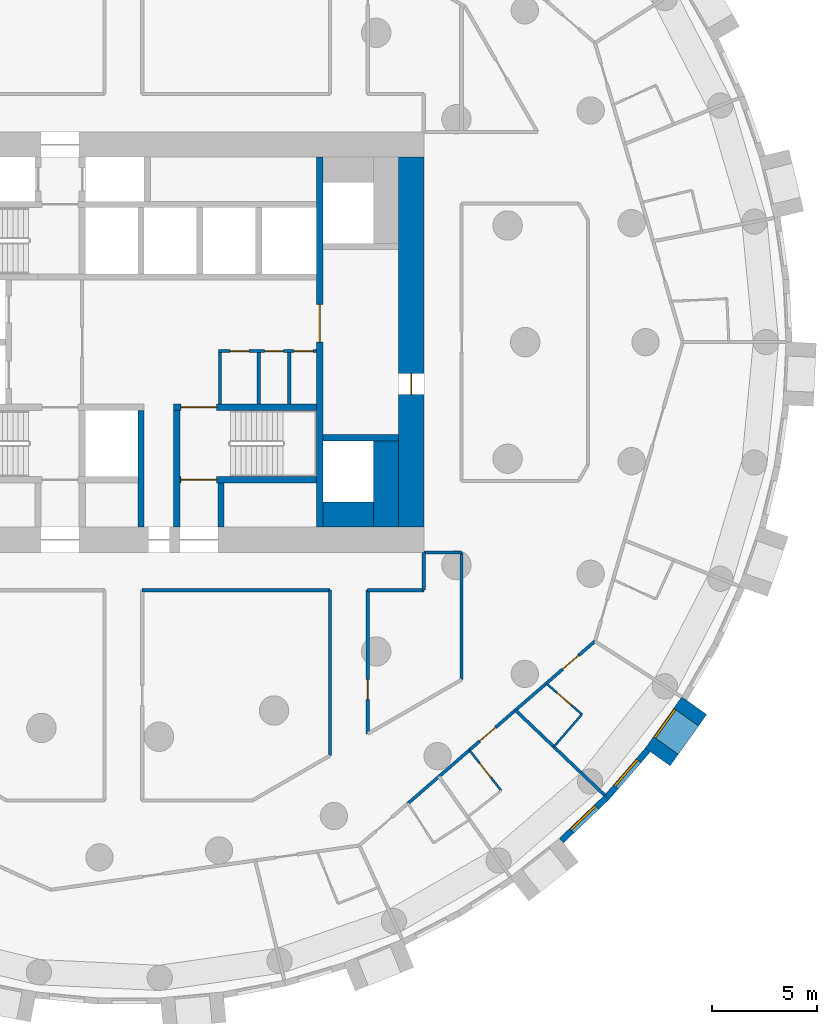
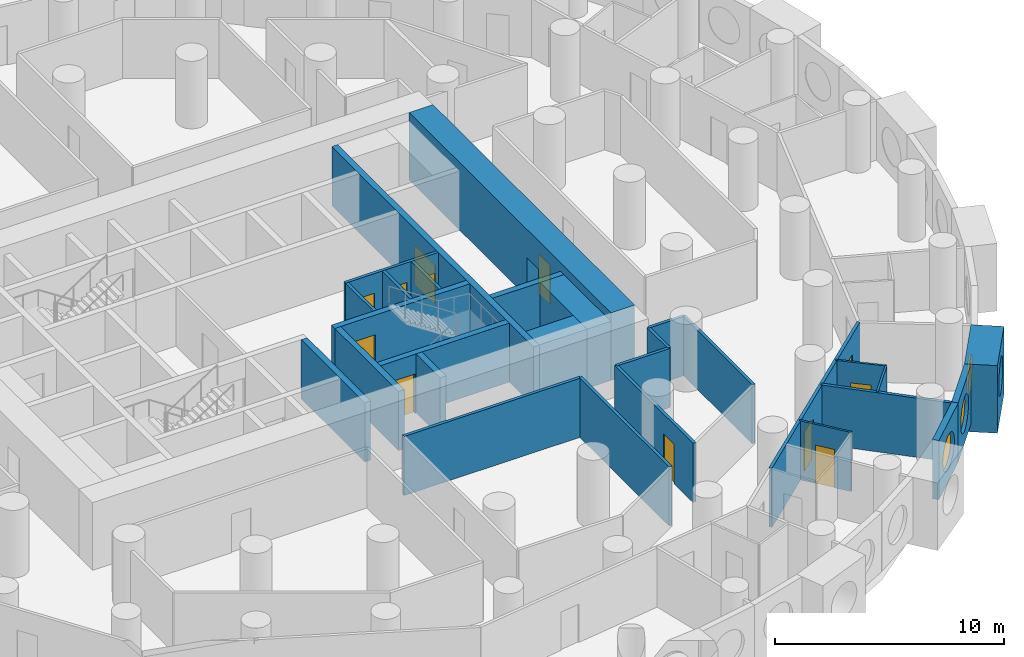
# One storey, part 5 of 12: 29 walls, 12 doors, 3 windows, 15 openings.
"""IFC4 building model written with IfcOpenShell, lengths in metres."""

from ifc_helpers import new_model, si_unit, direction, frame, frame_2d, origin, origin_2d, place, context, subcontext, project, spatial, rectangle, circle, extrude, material, layer, layer_set, type_object, element, fill, save


model = new_model("IFC4")

# Units and contexts
model_context = context("Model", 3, precision=1e-05, world=origin(), true_north=direction((0.0, 1.0)))
body_context = subcontext(model_context, "Body", "Model", "MODEL_VIEW")
ifc_project = project(units=[si_unit("LENGTHUNIT", "METRE"), si_unit("AREAUNIT", "SQUARE_METRE"), si_unit("VOLUMEUNIT", "CUBIC_METRE"), si_unit("PLANEANGLEUNIT", "RADIAN"), si_unit("MASSUNIT", "GRAM", prefix="KILO")], contexts=[model_context])

# Site, building, storey
site_placement = place(None, origin())
site = spatial("IfcSite", under=ifc_project, at=site_placement, CompositionType="ELEMENT")
building_placement = place(site_placement, origin())
building = spatial("IfcBuilding", under=site, at=building_placement, Name="Tracery Tower", CompositionType="ELEMENT")
storey_placement = place(building_placement, frame((0.0, 0.0, 71.39990234375)))
storey = spatial("IfcBuildingStorey", under=building, at=storey_placement, Name="L17", CompositionType="ELEMENT", Elevation=71.39990234375)

# Wall
ifc_material_1 = material(Name="Plasterboard on steel studs", Category="steel")
ifc_layer_1 = layer(ifc_material_1, 0.14990234375)
ifc_layer_set_1 = layer_set([ifc_layer_1], Name="Core room partition 150")
wall_type_1 = type_object("IfcWallType", Name="Core room partition 150", PredefinedType="SOLIDWALL", material=ifc_layer_set_1)
wall_1_placement = place(storey_placement, frame((4.300048828125, -2.949951171875, 0.0), z_axis=(0.0, 0.0, 1.0), x_axis=(0.0, 1.0, 0.0)))
element("IfcWall", 1, at=wall_1_placement, inside=storey, type_object=wall_type_1, Name="L17 slot W", PredefinedType="SOLIDWALL", context=body_context, shape_type="SweptSolid", body=[
    extrude(rectangle(XDim=2.449951171875, YDim=0.14990234375, at=frame_2d((1.22509765625, 0.0))), origin(), (0.0, 0.0, 1.0), 3.150146484375),
])

# Wall, openings, doors
wall_2_placement = place(storey_placement, frame((4.22509765625, -0.425048828125, 0.0), z_axis=(0.0, 0.0, 1.0), x_axis=(1.0, 0.0, 0.0)))
wall_2 = element("IfcWall", 2, at=wall_2_placement, inside=storey, type_object=wall_type_1, Name="L17 slot N", PredefinedType="SOLIDWALL", context=body_context, shape_type="SweptSolid", body=[
    extrude(rectangle(XDim=4.6748046875, YDim=0.14990234375, at=frame_2d((2.33740234375, 0.0))), origin(), (0.0, 0.0, 1.0), 3.150146484375),
])
opening_1_placement = place(wall_2_placement, frame((0.550048828125, 0.0, 0.0)))
opening_1 = element("IfcOpeningElement", 3, at=opening_1_placement, cuts=wall_2, Name="Opening KD22", PredefinedType="OPENING", context=body_context, shape_type="SweptSolid", body=[
    extrude(rectangle(XDim=0.89990234375, YDim=2.10009765625, at=frame_2d((0.449951171875, 1.050048828125))), frame((0.0, 0.074951171875, 0.0), z_axis=(0.0, -1.0, 0.0), x_axis=(1.0, 0.0, 0.0)), (0.0, 0.0, 1.0), 0.14990234375),
])
opening_2_placement = place(wall_2_placement, frame((2.199951171875, 0.0, 0.0)))
opening_2 = element("IfcOpeningElement", 4, at=opening_2_placement, cuts=wall_2, Name="Opening KD26", PredefinedType="OPENING", context=body_context, shape_type="SweptSolid", body=[
    extrude(rectangle(XDim=0.89990234375, YDim=2.10009765625, at=frame_2d((0.449951171875, 1.050048828125))), frame((0.0, 0.074951171875, 0.0), z_axis=(0.0, -1.0, 0.0), x_axis=(1.0, 0.0, 0.0)), (0.0, 0.0, 1.0), 0.14990234375),
])
opening_3_placement = place(wall_2_placement, frame((3.612548828125, 0.0, 0.0)))
opening_3 = element("IfcOpeningElement", 5, at=opening_3_placement, cuts=wall_2, Name="Opening KD27", PredefinedType="OPENING", context=body_context, shape_type="SweptSolid", body=[
    extrude(rectangle(XDim=0.89990234375, YDim=2.10009765625, at=frame_2d((0.449951171875, 1.050048828125))), frame((0.0, 0.074951171875, 0.0), z_axis=(0.0, -1.0, 0.0), x_axis=(1.0, 0.0, 0.0)), (0.0, 0.0, 1.0), 0.14990234375),
])
ifc_material_2 = material(Name="Timber door leaf", Category="wood")
door_type_1 = type_object("IfcDoorType", Name="Core WC door 900", OperationType="NOTDEFINED", PredefinedType="DOOR", material=ifc_material_2)
door_1_placement = place(opening_1_placement, origin())
door_1 = element("IfcDoor", 6, at=door_1_placement, inside=storey, type_object=door_type_1, Name="Core door", OperationType="SINGLE_SWING_RIGHT", OverallHeight=2.10009765625, OverallWidth=0.89990234375, PredefinedType="DOOR", context=body_context, shape_type="SweptSolid", body=[
    extrude(rectangle(XDim=0.89990234375, YDim=2.10009765625, at=frame_2d((0.449951171875, 1.050048828125))), frame((0.0, 0.02490234375, 0.0), z_axis=(0.0, -1.0, 0.0), x_axis=(1.0, 0.0, 0.0)), (0.0, 0.0, 1.0), 0.050048828125),
])
fill(opening_1, door_1)
ifc_material_3 = material(Name="Timber door leaf", Category="wood")
door_type_2 = type_object("IfcDoorType", Name="Core store door 900", OperationType="NOTDEFINED", PredefinedType="DOOR", material=ifc_material_3)
door_2_placement = place(opening_2_placement, origin())
door_2 = element("IfcDoor", 7, at=door_2_placement, inside=storey, type_object=door_type_2, Name="Core door", OperationType="SINGLE_SWING_LEFT", OverallHeight=2.10009765625, OverallWidth=0.89990234375, PredefinedType="DOOR", context=body_context, shape_type="SweptSolid", body=[
    extrude(rectangle(XDim=0.89990234375, YDim=2.10009765625, at=frame_2d((0.449951171875, 1.050048828125))), frame((0.0, 0.02490234375, 0.0), z_axis=(0.0, -1.0, 0.0), x_axis=(1.0, 0.0, 0.0)), (0.0, 0.0, 1.0), 0.050048828125),
])
fill(opening_2, door_2)
door_3_placement = place(opening_3_placement, origin())
door_3 = element("IfcDoor", 8, at=door_3_placement, inside=storey, type_object=door_type_2, Name="Core door", OperationType="SINGLE_SWING_RIGHT", OverallHeight=2.10009765625, OverallWidth=0.89990234375, PredefinedType="DOOR", context=body_context, shape_type="SweptSolid", body=[
    extrude(rectangle(XDim=0.89990234375, YDim=2.10009765625, at=frame_2d((0.449951171875, 1.050048828125))), frame((0.0, 0.02490234375, 0.0), z_axis=(0.0, -1.0, 0.0), x_axis=(1.0, 0.0, 0.0)), (0.0, 0.0, 1.0), 0.050048828125),
])
fill(opening_3, door_3)

# Walls
for number, where, z_axis, x_axis, name in (
    (9, (6.14990234375, -2.949951171875, 0.0), (0.0, 0.0, 1.0), (0.0, 1.0, 0.0), "L17 slot sep 1"),
    (10, (7.60009765625, -2.949951171875, 0.0), (0.0, 0.0, 1.0), (0.0, 1.0, 0.0), "L17 slot sep 2"),
):
    element("IfcWall", number, at=place(storey_placement, frame(where, z_axis=z_axis, x_axis=x_axis)), inside=storey, type_object=wall_type_1, Name=name, PredefinedType="SOLIDWALL", context=body_context, shape_type="SweptSolid", body=[
        extrude(rectangle(XDim=2.449951171875, YDim=0.14990234375, at=frame_2d((1.22509765625, 0.0))), origin(), (0.0, 0.0, 1.0), 3.150146484375),
    ])
ifc_material_4 = material(Name="Concrete C60/75", Category="concrete")
ifc_layer_2 = layer(ifc_material_4, 1.199951171875)
ifc_layer_set_2 = layer_set([ifc_layer_2], Name="Core strip wall 1200 C60")
wall_type_2 = type_object("IfcWallType", Name="Core strip wall 1200 C60", PredefinedType="SOLIDWALL", material=ifc_layer_set_2)
wall_3_placement = place(storey_placement, frame((12.199951171875, -8.800048828125, 0.0), z_axis=(0.0, 0.0, 1.0), x_axis=(0.0, 1.0, 0.0)))
element("IfcWall", 11, at=wall_3_placement, inside=storey, type_object=wall_type_2, Name="L17 wing strip +1 -9.4", PredefinedType="SOLIDWALL", context=body_context, shape_type="SweptSolid", body=[
    extrude(rectangle(XDim=4.10009765625, YDim=1.199951171875, at=frame_2d((2.050048828125, 0.0))), origin(), (0.0, 0.0, 1.0), 3.150146484375),
])
wall_4_placement = place(storey_placement, frame((9.199951171875, -8.199951171875, 0.0), z_axis=(0.0, 0.0, 1.0), x_axis=(1.0, 0.0, 0.0)))
element("IfcWall", 12, at=wall_4_placement, inside=storey, type_object=wall_type_2, Name="L17 wing corner +1 -8.2", PredefinedType="SOLIDWALL", context=body_context, shape_type="SweptSolid", body=[
    extrude(rectangle(XDim=2.400146484375, YDim=1.199951171875, at=frame_2d((1.2001953125, 0.0))), origin(), (0.0, 0.0, 1.0), 3.150146484375),
])

# Wall, opening, door
ifc_material_5 = material(Name="Concrete C60/75", Category="concrete")
ifc_layer_3 = layer(ifc_material_5, 1.199951171875)
ifc_layer_set_3 = layer_set([ifc_layer_3], Name="Core wall 1200 C60")
wall_type_3 = type_object("IfcWallType", Name="Core wall 1200 C60", PredefinedType="SOLIDWALL", material=ifc_layer_set_3)
wall_5_placement = place(storey_placement, frame((13.39990234375, -8.800048828125, 0.0), z_axis=(0.0, 0.0, 1.0), x_axis=(0.0, 1.0, 0.0)))
wall_5 = element("IfcWall", 13, at=wall_5_placement, inside=storey, type_object=wall_type_3, Name="L17 outer E", PredefinedType="SOLIDWALL", context=body_context, shape_type="SweptSolid", body=[
    extrude(rectangle(XDim=17.60009765625, YDim=1.199951171875, at=frame_2d((8.800048828125, 0.0))), origin(), (0.0, 0.0, 1.0), 3.60009765625),
])
opening_4_placement = place(wall_5_placement, frame((6.300048828125, 0.0, 0.0)))
opening_4 = element("IfcOpeningElement", 14, at=opening_4_placement, cuts=wall_5, Name="Opening KD18", PredefinedType="OPENING", context=body_context, shape_type="SweptSolid", body=[
    extrude(rectangle(XDim=1.0, YDim=2.10009765625, at=frame_2d((0.5, 1.050048828125))), frame((0.0, 0.60009765625, 0.0), z_axis=(0.0, -1.0, 0.0), x_axis=(1.0, 0.0, 0.0)), (0.0, 0.0, 1.0), 1.199951171875),
])
ifc_material_6 = material(Name="Steel fire door", Category="steel")
door_type_3 = type_object("IfcDoorType", Name="Core exit door 1000", OperationType="NOTDEFINED", PredefinedType="DOOR", material=ifc_material_6)
door_4_placement = place(opening_4_placement, origin())
door_4 = element("IfcDoor", 15, at=door_4_placement, inside=storey, type_object=door_type_3, Name="Core exit door", OperationType="DOUBLE_DOOR_SINGLE_SWING", OverallHeight=2.10009765625, OverallWidth=1.0, PredefinedType="DOOR", context=body_context, shape_type="SweptSolid", body=[
    extrude(rectangle(XDim=1.0, YDim=2.10009765625, at=frame_2d((0.5, 1.050048828125))), frame((0.0, 0.02490234375, 0.0), z_axis=(0.0, -1.0, 0.0), x_axis=(1.0, 0.0, 0.0)), (0.0, 0.0, 1.0), 0.050048828125),
])
fill(opening_4, door_4)

# Wall, opening, window
ifc_material_7 = material(Name="Precast concrete C50/60", Category="concrete")
ifc_layer_4 = layer(ifc_material_7, 1.449951171875)
ifc_layer_set_4 = layer_set([ifc_layer_4], Name="Deep-set bay unit 3000 x 3600, slab edge 450")
wall_type_4 = type_object("IfcWallType", Name="Deep-set bay unit 3000 x 3600, slab edge 450", PredefinedType="ELEMENTEDWALL", material=ifc_layer_set_4)
wall_6_placement = place(storey_placement, frame((25.126220703125, -19.733642578125, -0.449951171875), z_axis=(0.0, 0.0, 1.0), x_axis=(0.580090570606, 0.814551981088, 0.0)))
wall_6 = element("IfcWall", 16, at=wall_6_placement, inside=storey, type_object=wall_type_4, Name="Deep-set bay unit 60 at L17", PredefinedType="ELEMENTEDWALL", context=body_context, shape_type="SweptSolid", body=[
    extrude(rectangle(XDim=3.0, YDim=1.449951171875, at=frame_2d((1.5, 0.0))), origin(), (0.0, 0.0, 1.0), 3.60009765625),
])
opening_5_placement = place(wall_6_placement, frame((1.5, 0.0, 2.0)))
opening_5 = element("IfcOpeningElement", 17, at=opening_5_placement, cuts=wall_6, Name="Opening WN1", PredefinedType="OPENING", context=body_context, shape_type="SweptSolid", body=[
    extrude(circle(Radius=0.9000244140625, at=origin_2d()), frame((0.0, 0.73486328125, 0.0), z_axis=(0.0, -1.0, 0.0), x_axis=(1.0, 0.0, 0.0)), (0.0, 0.0, 1.0), 1.469970703125),
])
ifc_material_8 = material(Name="Aluminium frame with tinted double glazing", Category="aluminium")
window_type = type_object("IfcWindowType", Name="Round window 1800", PartitioningType="SINGLE_PANEL", PredefinedType="WINDOW", material=ifc_material_8)
window_1_placement = place(opening_5_placement, origin())
window_1 = element("IfcWindow", 18, at=window_1_placement, inside=storey, type_object=window_type, Name="Round window 60 at L17", OverallHeight=1.800048828125, OverallWidth=1.800048828125, PartitioningType="SINGLE_PANEL", PredefinedType="WINDOW", context=body_context, shape_type="SweptSolid", body=[
    extrude(circle(Radius=0.9000244140625, at=origin_2d()), frame((0.0, 0.69482421875, 0.0), z_axis=(0.0, -1.0, 0.0), x_axis=(1.0, 0.0, 0.0)), (0.0, 0.0, 1.0), 0.10009765625),
])
fill(opening_5, window_1)

ifc_material_9 = material(Name="Precast concrete C50/60", Category="concrete")
ifc_layer_5 = layer(ifc_material_9, 0.300048828125)
ifc_layer_set_5 = layer_set([ifc_layer_5], Name="Facade panel 3000 x 3150")
wall_type_5 = type_object("IfcWallType", Name="Facade panel 3000 x 3150", PredefinedType="SOLIDWALL", material=ifc_layer_set_5)
wall_7_placement = place(storey_placement, frame((20.55029296875, -23.70703125, 0.0), z_axis=(0.0, 0.0, 1.0), x_axis=(0.723744206617, 0.690068346896, 0.0)))
wall_7 = element("IfcWall", 19, at=wall_7_placement, inside=storey, type_object=wall_type_5, Name="Facade panel 58 at L17", PredefinedType="SOLIDWALL", context=body_context, shape_type="SweptSolid", body=[
    extrude(rectangle(XDim=2.979736328125, YDim=0.300048828125, at=frame_2d((1.48974609375, 0.0))), origin(), (0.0, 0.0, 1.0), 3.150146484375),
])
opening_6_placement = place(wall_7_placement, frame((1.48974609375, 0.0, 1.5498046875)))
opening_6 = element("IfcOpeningElement", 20, at=opening_6_placement, cuts=wall_7, Name="Opening WN1", PredefinedType="OPENING", context=body_context, shape_type="SweptSolid", body=[
    extrude(circle(Radius=0.9000244140625, at=origin_2d()), frame((0.0, 0.159912109375, 0.0), z_axis=(0.0, -1.0, 0.0), x_axis=(1.0, 0.0, 0.0)), (0.0, 0.0, 1.0), 0.320068359375),
])
window_2_placement = place(opening_6_placement, origin())
window_2 = element("IfcWindow", 21, at=window_2_placement, inside=storey, type_object=window_type, Name="Round window 58 at L17", OverallHeight=1.800048828125, OverallWidth=1.800048828125, PartitioningType="SINGLE_PANEL", PredefinedType="WINDOW", context=body_context, shape_type="SweptSolid", body=[
    extrude(circle(Radius=0.9000244140625, at=origin_2d()), frame((0.0, 0.1201171875, 0.0), z_axis=(0.0, -1.0, 0.0), x_axis=(1.0, 0.0, 0.0)), (0.0, 0.0, 1.0), 0.10009765625),
])
fill(opening_6, window_2)

wall_8_placement = place(storey_placement, frame((22.706787109375, -21.65087890625, 0.0), z_axis=(0.0, 0.0, 1.0), x_axis=(0.654830712471, 0.755775587066, 0.0)))
wall_8 = element("IfcWall", 22, at=wall_8_placement, inside=storey, type_object=wall_type_5, Name="Facade panel 59 at L17", PredefinedType="SOLIDWALL", context=body_context, shape_type="SweptSolid", body=[
    extrude(rectangle(XDim=2.979736328125, YDim=0.300048828125, at=frame_2d((1.48974609375, 0.0))), origin(), (0.0, 0.0, 1.0), 3.150146484375),
])
opening_7_placement = place(wall_8_placement, frame((1.48974609375, 0.0, 1.5498046875)))
opening_7 = element("IfcOpeningElement", 23, at=opening_7_placement, cuts=wall_8, Name="Opening WN1", PredefinedType="OPENING", context=body_context, shape_type="SweptSolid", body=[
    extrude(circle(Radius=0.9000244140625, at=origin_2d()), frame((0.0, 0.159912109375, 0.0), z_axis=(0.0, -1.0, 0.0), x_axis=(1.0, 0.0, 0.0)), (0.0, 0.0, 1.0), 0.320068359375),
])
window_3_placement = place(opening_7_placement, origin())
window_3 = element("IfcWindow", 24, at=window_3_placement, inside=storey, type_object=window_type, Name="Round window 59 at L17", OverallHeight=1.800048828125, OverallWidth=1.800048828125, PartitioningType="SINGLE_PANEL", PredefinedType="WINDOW", context=body_context, shape_type="SweptSolid", body=[
    extrude(circle(Radius=0.9000244140625, at=origin_2d()), frame((0.0, 0.1201171875, 0.0), z_axis=(0.0, -1.0, 0.0), x_axis=(1.0, 0.0, 0.0)), (0.0, 0.0, 1.0), 0.10009765625),
])
fill(opening_7, window_3)

# Wall, opening, door
ifc_material_10 = material(Name="Plasterboard on steel studs", Category="steel")
ifc_layer_6 = layer(ifc_material_10, 0.10009765625)
ifc_layer_set_6 = layer_set([ifc_layer_6], Name="Partition 100 wet wall")
wall_type_6 = type_object("IfcWallType", Name="Partition 100 wet wall", PredefinedType="PARTITIONING", material=ifc_layer_set_6)
wall_9_placement = place(storey_placement, frame((16.16796875, -19.404052734375, 0.0), z_axis=(0.0, 0.0, 1.0), x_axis=(0.618142414415, -0.786066126672, 0.0)))
wall_9 = element("IfcWall", 25, at=wall_9_placement, inside=storey, type_object=wall_type_6, Name="Wet wall RA5-094", PredefinedType="PARTITIONING", context=body_context, shape_type="SweptSolid", body=[
    extrude(rectangle(XDim=2.45263671875, YDim=0.10009765625, at=frame_2d((1.226318359375, 0.0))), origin(), (0.0, 0.0, 1.0), 3.150146484375),
])
opening_8_placement = place(wall_9_placement, frame((0.776611328125, 0.0, 0.0)))
opening_8 = element("IfcOpeningElement", 26, at=opening_8_placement, cuts=wall_9, Name="Opening RA5-35", PredefinedType="OPENING", context=body_context, shape_type="SweptSolid", body=[
    extrude(rectangle(XDim=0.89990234375, YDim=2.0400390625, at=frame_2d((0.449951171875, 1.02001953125))), frame((0.0, 0.050048828125, 0.0), z_axis=(0.0, -1.0, 0.0), x_axis=(1.0, 0.0, 0.0)), (0.0, 0.0, 1.0), 0.10009765625),
])
ifc_material_11 = material(Name="Timber door leaf", Category="wood")
door_type_4 = type_object("IfcDoorType", Name="Door en-suite 900", OperationType="NOTDEFINED", PredefinedType="DOOR", material=ifc_material_11)
door_5_placement = place(opening_8_placement, origin())
door_5 = element("IfcDoor", 27, at=door_5_placement, inside=storey, type_object=door_type_4, Name="En-suite door RA5-35", OperationType="SINGLE_SWING_LEFT", OverallHeight=2.0400390625, OverallWidth=0.89990234375, PredefinedType="DOOR", context=body_context, shape_type="SweptSolid", body=[
    extrude(rectangle(XDim=0.89990234375, YDim=2.0400390625, at=frame_2d((0.449951171875, 1.02001953125))), frame((0.0, 0.02490234375, 0.0), z_axis=(0.0, -1.0, 0.0), x_axis=(1.0, 0.0, 0.0)), (0.0, 0.0, 1.0), 0.050048828125),
])
fill(opening_8, door_5)

# Wall
wall_10_placement = place(storey_placement, frame((20.18408203125, -19.2451171875, 0.0), z_axis=(0.0, 0.0, 1.0), x_axis=(0.655017058368, 0.755614090159, 0.0)))
element("IfcWall", 28, at=wall_10_placement, inside=storey, type_object=wall_type_6, Name="Wet wall RA5-096", PredefinedType="PARTITIONING", context=body_context, shape_type="SweptSolid", body=[
    extrude(rectangle(XDim=2.041015625, YDim=0.10009765625, at=frame_2d((1.0205078125, 0.0))), origin(), (0.0, 0.0, 1.0), 3.150146484375),
])

# Wall, opening, door
wall_11_placement = place(storey_placement, frame((19.825927734375, -16.23388671875, 0.0), z_axis=(0.0, 0.0, 1.0), x_axis=(0.755703447798, -0.654913963042, 0.0)))
wall_11 = element("IfcWall", 29, at=wall_11_placement, inside=storey, type_object=wall_type_6, Name="Wet wall RA5-097", PredefinedType="PARTITIONING", context=body_context, shape_type="SweptSolid", body=[
    extrude(rectangle(XDim=2.242919921875, YDim=0.10009765625, at=frame_2d((1.12158203125, 0.0))), origin(), (0.0, 0.0, 1.0), 3.150146484375),
])
opening_9_placement = place(wall_11_placement, frame((0.672119140625, 0.0, 0.0)))
opening_9 = element("IfcOpeningElement", 30, at=opening_9_placement, cuts=wall_11, Name="Opening RA5-37", PredefinedType="OPENING", context=body_context, shape_type="SweptSolid", body=[
    extrude(rectangle(XDim=0.89990234375, YDim=2.0400390625, at=frame_2d((0.449951171875, 1.02001953125))), frame((0.0, 0.050048828125, 0.0), z_axis=(0.0, -1.0, 0.0), x_axis=(1.0, 0.0, 0.0)), (0.0, 0.0, 1.0), 0.10009765625),
])
door_6_placement = place(opening_9_placement, origin())
door_6 = element("IfcDoor", 31, at=door_6_placement, inside=storey, type_object=door_type_4, Name="En-suite door RA5-37", OperationType="SINGLE_SWING_LEFT", OverallHeight=2.0400390625, OverallWidth=0.89990234375, PredefinedType="DOOR", context=body_context, shape_type="SweptSolid", body=[
    extrude(rectangle(XDim=0.89990234375, YDim=2.0400390625, at=frame_2d((0.449951171875, 1.02001953125))), frame((0.0, 0.02490234375, 0.0), z_axis=(0.0, -1.0, 0.0), x_axis=(1.0, 0.0, 0.0)), (0.0, 0.0, 1.0), 0.050048828125),
])
fill(opening_9, door_6)

# Walls
ifc_material_12 = material(Name="Plasterboard on steel studs", Category="steel")
ifc_layer_7 = layer(ifc_material_12, 0.14990234375)
ifc_layer_set_7 = layer_set([ifc_layer_7], Name="Partition 150 acoustic unit wall")
wall_type_7 = type_object("IfcWallType", Name="Partition 150 acoustic unit wall", PredefinedType="PARTITIONING", material=ifc_layer_set_7)
wall_12_placement = place(storey_placement, frame((18.35888671875, -17.506103515625, 0.0), z_axis=(0.0, 0.0, 1.0), x_axis=(0.723808715798, -0.690000683286, 0.0)))
element("IfcWall", 32, at=wall_12_placement, inside=storey, type_object=wall_type_7, Name="Unit wall RA5-095", PredefinedType="PARTITIONING", context=body_context, shape_type="SweptSolid", body=[
    extrude(rectangle(XDim=5.8564453125, YDim=0.14990234375, at=frame_2d((2.92822265625, 0.0))), origin(), (0.0, 0.0, 1.0), 3.150146484375),
])
ifc_material_13 = material(Name="Plasterboard on steel studs", Category="steel")
ifc_layer_8 = layer(ifc_material_13, 0.14990234375)
ifc_layer_set_8 = layer_set([ifc_layer_8], Name="Partition 150 corridor wall")
wall_type_8 = type_object("IfcWallType", Name="Partition 150 corridor wall", PredefinedType="PARTITIONING", material=ifc_layer_set_8)
wall_13_placement = place(storey_placement, frame((0.60400390625, -11.800048828125, 0.0), z_axis=(0.0, 0.0, 1.0), x_axis=(1.0, 0.0, 0.0)))
element("IfcWall", 33, at=wall_13_placement, inside=storey, type_object=wall_type_8, Name="Corridor wall RA5-006", PredefinedType="PARTITIONING", context=body_context, shape_type="SweptSolid", body=[
    extrude(rectangle(XDim=8.93603515625, YDim=0.14990234375, at=frame_2d((4.468017578125, 0.0))), origin(), (0.0, 0.0, 1.0), 3.150146484375),
])
wall_14_placement = place(storey_placement, frame((14.0, -11.800048828125, 0.0), z_axis=(0.0, 0.0, 1.0), x_axis=(0.0, 1.0, 0.0)))
element("IfcWall", 34, at=wall_14_placement, inside=storey, type_object=wall_type_8, Name="Corridor wall RA5-007", PredefinedType="PARTITIONING", context=body_context, shape_type="SweptSolid", body=[
    extrude(rectangle(XDim=1.800048828125, YDim=0.14990234375, at=frame_2d((0.89990234375, 0.0))), origin(), (0.0, 0.0, 1.0), 3.150146484375),
])
wall_15_placement = place(storey_placement, frame((11.33203125, -11.800048828125, 0.0), z_axis=(0.0, 0.0, 1.0), x_axis=(1.0, 0.0, 0.0)))
element("IfcWall", 35, at=wall_15_placement, inside=storey, type_object=wall_type_8, Name="Corridor wall RA5-008", PredefinedType="PARTITIONING", context=body_context, shape_type="SweptSolid", body=[
    extrude(rectangle(XDim=2.66796875, YDim=0.14990234375, at=frame_2d((1.333984375, 0.0))), origin(), (0.0, 0.0, 1.0), 3.150146484375),
])
wall_16_placement = place(storey_placement, frame((14.0, -10.0, 0.0), z_axis=(0.0, 0.0, 1.0), x_axis=(1.0, 0.0, 0.0)))
element("IfcWall", 36, at=wall_16_placement, inside=storey, type_object=wall_type_8, Name="Corridor wall RA5-010", PredefinedType="PARTITIONING", context=body_context, shape_type="SweptSolid", body=[
    extrude(rectangle(XDim=1.800048828125, YDim=0.14990234375, at=frame_2d((0.89990234375, 0.0))), origin(), (0.0, 0.0, 1.0), 3.150146484375),
])
wall_17_placement = place(storey_placement, frame((15.800048828125, -16.052978515625, 0.0), z_axis=(0.0, 0.0, 1.0), x_axis=(0.0, 1.0, 0.0)))
element("IfcWall", 37, at=wall_17_placement, inside=storey, type_object=wall_type_8, Name="Corridor wall RA5-013", PredefinedType="PARTITIONING", context=body_context, shape_type="SweptSolid", body=[
    extrude(rectangle(XDim=6.056884765625, YDim=0.14990234375, at=frame_2d((3.0283203125, 0.0))), origin(), (0.0, 0.0, 1.0), 3.150146484375),
])

# Wall, openings, doors
wall_18_placement = place(storey_placement, frame((13.247314453125, -21.939453125, 0.0), z_axis=(0.0, 0.0, 1.0), x_axis=(0.755420750547, 0.655240024451, 0.0)))
wall_18 = element("IfcWall", 38, at=wall_18_placement, inside=storey, type_object=wall_type_8, Name="Corridor wall RA5-022", PredefinedType="PARTITIONING", context=body_context, shape_type="SweptSolid", body=[
    extrude(rectangle(XDim=11.770751953125, YDim=0.14990234375, at=frame_2d((5.88525390625, 0.0))), origin(), (0.0, 0.0, 1.0), 3.150146484375),
])
opening_10_placement = place(wall_18_placement, frame((4.512939453125, 0.0, 0.0)))
opening_10 = element("IfcOpeningElement", 39, at=opening_10_placement, cuts=wall_18, Name="Opening RA5-36", PredefinedType="OPENING", context=body_context, shape_type="SweptSolid", body=[
    extrude(rectangle(XDim=1.0, YDim=2.10009765625, at=frame_2d((0.5, 1.050048828125))), frame((0.0, 0.074951171875, 0.0), z_axis=(0.0, -1.0, 0.0), x_axis=(1.0, 0.0, 0.0)), (0.0, 0.0, 1.0), 0.14990234375),
])
opening_11_placement = place(wall_18_placement, frame((9.73779296875, 0.0, 0.0)))
opening_11 = element("IfcOpeningElement", 40, at=opening_11_placement, cuts=wall_18, Name="Opening RA5-38", PredefinedType="OPENING", context=body_context, shape_type="SweptSolid", body=[
    extrude(rectangle(XDim=1.0, YDim=2.10009765625, at=frame_2d((0.5, 1.050048828125))), frame((0.0, 0.074951171875, 0.0), z_axis=(0.0, -1.0, 0.0), x_axis=(1.0, 0.0, 0.0)), (0.0, 0.0, 1.0), 0.14990234375),
])
ifc_material_14 = material(Name="Timber door leaf", Category="wood")
door_type_5 = type_object("IfcDoorType", Name="Door unit entrance 1000", OperationType="NOTDEFINED", PredefinedType="DOOR", material=ifc_material_14)
door_7_placement = place(opening_10_placement, origin())
door_7 = element("IfcDoor", 41, at=door_7_placement, inside=storey, type_object=door_type_5, Name="Unit entrance door RA5-36", OperationType="SINGLE_SWING_LEFT", OverallHeight=2.10009765625, OverallWidth=1.0, PredefinedType="DOOR", context=body_context, shape_type="SweptSolid", body=[
    extrude(rectangle(XDim=1.0, YDim=2.10009765625, at=frame_2d((0.5, 1.050048828125))), frame((0.0, 0.02490234375, 0.0), z_axis=(0.0, -1.0, 0.0), x_axis=(1.0, 0.0, 0.0)), (0.0, 0.0, 1.0), 0.050048828125),
])
fill(opening_10, door_7)
door_8_placement = place(opening_11_placement, origin())
door_8 = element("IfcDoor", 42, at=door_8_placement, inside=storey, type_object=door_type_5, Name="Unit entrance door RA5-38", OperationType="SINGLE_SWING_LEFT", OverallHeight=2.10009765625, OverallWidth=1.0, PredefinedType="DOOR", context=body_context, shape_type="SweptSolid", body=[
    extrude(rectangle(XDim=1.0, YDim=2.10009765625, at=frame_2d((0.5, 1.050048828125))), frame((0.0, 0.02490234375, 0.0), z_axis=(0.0, -1.0, 0.0), x_axis=(1.0, 0.0, 0.0)), (0.0, 0.0, 1.0), 0.050048828125),
])
fill(opening_11, door_8)

# Wall
wall_19_placement = place(storey_placement, frame((9.535888671875, -19.6689453125, 0.0), z_axis=(0.0, 0.0, 1.0), x_axis=(0.0, 1.0, 0.0)))
element("IfcWall", 43, at=wall_19_placement, inside=storey, type_object=wall_type_8, Name="Corridor wall RA5-051", PredefinedType="PARTITIONING", context=body_context, shape_type="SweptSolid", body=[
    extrude(rectangle(XDim=7.868896484375, YDim=0.14990234375, at=frame_2d((3.9345703125, 0.0))), origin(), (0.0, 0.0, 1.0), 3.150146484375),
])

# Wall, opening, door
wall_20_placement = place(storey_placement, frame((11.3359375, -18.6298828125, 0.0), z_axis=(0.0, 0.0, 1.0), x_axis=(0.0, 1.0, 0.0)))
wall_20 = element("IfcWall", 44, at=wall_20_placement, inside=storey, type_object=wall_type_8, Name="Corridor wall RA5-052", PredefinedType="PARTITIONING", context=body_context, shape_type="SweptSolid", body=[
    extrude(rectangle(XDim=6.829833984375, YDim=0.14990234375, at=frame_2d((3.4150390625, 0.0))), origin(), (0.0, 0.0, 1.0), 3.150146484375),
])
opening_12_placement = place(wall_20_placement, frame((1.639892578125, 0.0, 0.0)))
opening_12 = element("IfcOpeningElement", 45, at=opening_12_placement, cuts=wall_20, Name="Opening RA5-06", PredefinedType="OPENING", context=body_context, shape_type="SweptSolid", body=[
    extrude(rectangle(XDim=0.949951171875, YDim=2.10009765625, at=frame_2d((0.47509765625, 1.050048828125))), frame((0.0, 0.074951171875, 0.0), z_axis=(0.0, -1.0, 0.0), x_axis=(1.0, 0.0, 0.0)), (0.0, 0.0, 1.0), 0.14990234375),
])
ifc_material_15 = material(Name="Timber door leaf", Category="wood")
door_type_6 = type_object("IfcDoorType", Name="Door store 950", OperationType="NOTDEFINED", PredefinedType="DOOR", material=ifc_material_15)
door_9_placement = place(opening_12_placement, origin())
door_9 = element("IfcDoor", 46, at=door_9_placement, inside=storey, type_object=door_type_6, Name="Store door RA5-06", OperationType="SINGLE_SWING_RIGHT", OverallHeight=2.10009765625, OverallWidth=0.949951171875, PredefinedType="DOOR", context=body_context, shape_type="SweptSolid", body=[
    extrude(rectangle(XDim=0.949951171875, YDim=2.10009765625, at=frame_2d((0.47509765625, 1.050048828125))), frame((0.0, 0.02490234375, 0.0), z_axis=(0.0, -1.0, 0.0), x_axis=(1.0, 0.0, 0.0)), (0.0, 0.0, 1.0), 0.050048828125),
])
fill(opening_12, door_9)

# Walls
ifc_material_16 = material(Name="Concrete C60/75", Category="concrete")
ifc_layer_9 = layer(ifc_material_16, 0.300048828125)
ifc_layer_set_9 = layer_set([ifc_layer_9], Name="Shaft wall 300 C60")
wall_type_9 = type_object("IfcWallType", Name="Shaft wall 300 C60", PredefinedType="SOLIDWALL", material=ifc_layer_set_9)
wall_21_placement = place(storey_placement, frame((0.550048828125, -8.800048828125, 0.0), z_axis=(0.0, 0.0, 1.0), x_axis=(0.0, 1.0, 0.0)))
element("IfcWall", 47, at=wall_21_placement, inside=storey, type_object=wall_type_9, Name="L17 OB2 E", PredefinedType="SOLIDWALL", context=body_context, shape_type="SweptSolid", body=[
    extrude(rectangle(XDim=5.550048828125, YDim=0.300048828125, at=frame_2d((2.77490234375, 0.0))), origin(), (0.0, 0.0, 1.0), 3.150146484375),
])
wall_22_placement = place(storey_placement, frame((4.35009765625, -8.800048828125, 0.0), z_axis=(0.0, 0.0, 1.0), x_axis=(0.0, 1.0, 0.0)))
element("IfcWall", 48, at=wall_22_placement, inside=storey, type_object=wall_type_9, Name="L17 band S +4.35", PredefinedType="SOLIDWALL", context=body_context, shape_type="SweptSolid", body=[
    extrude(rectangle(XDim=2.10009765625, YDim=0.300048828125, at=frame_2d((1.050048828125, 0.0))), origin(), (0.0, 0.0, 1.0), 3.150146484375),
])
wall_23_placement = place(storey_placement, frame((9.199951171875, -4.550048828125, 0.0), z_axis=(0.0, 0.0, 1.0), x_axis=(1.0, 0.0, 0.0)))
element("IfcWall", 49, at=wall_23_placement, inside=storey, type_object=wall_type_9, Name="L17 wing shaft wall +1 -4.55", PredefinedType="SOLIDWALL", context=body_context, shape_type="SweptSolid", body=[
    extrude(rectangle(XDim=3.60009765625, YDim=0.300048828125, at=frame_2d((1.800048828125, 0.0))), origin(), (0.0, 0.0, 1.0), 3.150146484375),
])

# Wall, opening, door
ifc_material_17 = material(Name="Concrete C60/75", Category="concrete")
ifc_layer_10 = layer(ifc_material_17, 0.300048828125)
ifc_layer_set_10 = layer_set([ifc_layer_10], Name="Stair wall 300 C60")
wall_type_10 = type_object("IfcWallType", Name="Stair wall 300 C60", PredefinedType="SOLIDWALL", material=ifc_layer_set_10)
wall_24_placement = place(storey_placement, frame((2.10009765625, -3.10009765625, 0.0), z_axis=(0.0, 0.0, 1.0), x_axis=(1.0, 0.0, 0.0)))
wall_24 = element("IfcWall", 50, at=wall_24_placement, inside=storey, type_object=wall_type_10, Name="L17 row S E", PredefinedType="SOLIDWALL", context=body_context, shape_type="SweptSolid", body=[
    extrude(rectangle(XDim=6.7998046875, YDim=0.300048828125, at=frame_2d((3.39990234375, 0.0))), origin(), (0.0, 0.0, 1.0), 3.150146484375),
])
opening_13_placement = place(wall_24_placement, frame((0.35009765625, 0.0, 0.0)))
opening_13 = element("IfcOpeningElement", 51, at=opening_13_placement, cuts=wall_24, Name="Opening KD3", PredefinedType="OPENING", context=body_context, shape_type="SweptSolid", body=[
    extrude(rectangle(XDim=1.699951171875, YDim=2.10009765625, at=frame_2d((0.85009765625, 1.050048828125))), frame((0.0, 0.14990234375, 0.0), z_axis=(0.0, -1.0, 0.0), x_axis=(1.0, 0.0, 0.0)), (0.0, 0.0, 1.0), 0.300048828125),
])
ifc_material_18 = material(Name="Steel fire door", Category="steel")
door_type_7 = type_object("IfcDoorType", Name="Core stair door 1700 double", OperationType="NOTDEFINED", PredefinedType="DOOR", material=ifc_material_18)
door_10_placement = place(opening_13_placement, origin())
door_10 = element("IfcDoor", 52, at=door_10_placement, inside=storey, type_object=door_type_7, Name="Stair door ST2", OperationType="DOUBLE_DOOR_SINGLE_SWING", OverallHeight=2.10009765625, OverallWidth=1.699951171875, PredefinedType="DOOR", context=body_context, shape_type="SweptSolid", body=[
    extrude(rectangle(XDim=1.699951171875, YDim=2.10009765625, at=frame_2d((0.85009765625, 1.050048828125))), frame((0.0, 0.02490234375, 0.0), z_axis=(0.0, -1.0, 0.0), x_axis=(1.0, 0.0, 0.0)), (0.0, 0.0, 1.0), 0.050048828125),
])
fill(opening_13, door_10)

# Wall
wall_25_placement = place(storey_placement, frame((2.25, -8.800048828125, 0.0), z_axis=(0.0, 0.0, 1.0), x_axis=(0.0, 1.0, 0.0)))
element("IfcWall", 53, at=wall_25_placement, inside=storey, type_object=wall_type_10, Name="L17 ST2 W", PredefinedType="SOLIDWALL", context=body_context, shape_type="SweptSolid", body=[
    extrude(rectangle(XDim=5.550048828125, YDim=0.300048828125, at=frame_2d((2.77490234375, 0.0))), origin(), (0.0, 0.0, 1.0), 3.150146484375),
])

# Wall, opening, door
wall_26_placement = place(storey_placement, frame((9.050048828125, -8.800048828125, 0.0), z_axis=(0.0, 0.0, 1.0), x_axis=(0.0, 1.0, 0.0)))
wall_26 = element("IfcWall", 54, at=wall_26_placement, inside=storey, type_object=wall_type_10, Name="L17 F wall +9", PredefinedType="SOLIDWALL", context=body_context, shape_type="SweptSolid", body=[
    extrude(rectangle(XDim=17.60009765625, YDim=0.300048828125, at=frame_2d((8.800048828125, 0.0))), origin(), (0.0, 0.0, 1.0), 3.150146484375),
])
opening_14_placement = place(wall_26_placement, frame((8.800048828125, 0.0, 0.0)))
opening_14 = element("IfcOpeningElement", 55, at=opening_14_placement, cuts=wall_26, Name="Opening KD13", PredefinedType="OPENING", context=body_context, shape_type="SweptSolid", body=[
    extrude(rectangle(XDim=1.800048828125, YDim=2.10009765625, at=frame_2d((0.89990234375, 1.050048828125))), frame((0.0, 0.14990234375, 0.0), z_axis=(0.0, -1.0, 0.0), x_axis=(1.0, 0.0, 0.0)), (0.0, 0.0, 1.0), 0.300048828125),
])
ifc_material_19 = material(Name="Steel fire door", Category="steel")
door_type_8 = type_object("IfcDoorType", Name="Core exit door 1800 double", OperationType="NOTDEFINED", PredefinedType="DOOR", material=ifc_material_19)
door_11_placement = place(opening_14_placement, origin())
door_11 = element("IfcDoor", 56, at=door_11_placement, inside=storey, type_object=door_type_8, Name="Core exit door", OperationType="DOUBLE_DOOR_SINGLE_SWING", OverallHeight=2.10009765625, OverallWidth=1.800048828125, PredefinedType="DOOR", context=body_context, shape_type="SweptSolid", body=[
    extrude(rectangle(XDim=1.800048828125, YDim=2.10009765625, at=frame_2d((0.89990234375, 1.050048828125))), frame((0.0, 0.02490234375, 0.0), z_axis=(0.0, -1.0, 0.0), x_axis=(1.0, 0.0, 0.0)), (0.0, 0.0, 1.0), 0.050048828125),
])
fill(opening_14, door_11)

wall_27_placement = place(storey_placement, frame((2.39990234375, -6.550048828125, 0.0), z_axis=(0.0, 0.0, 1.0), x_axis=(1.0, 0.0, 0.0)))
wall_27 = element("IfcWall", 57, at=wall_27_placement, inside=storey, type_object=wall_type_10, Name="L17 F S E", PredefinedType="SOLIDWALL", context=body_context, shape_type="SweptSolid", body=[
    extrude(rectangle(XDim=6.5, YDim=0.300048828125, at=frame_2d((3.25, 0.0))), origin(), (0.0, 0.0, 1.0), 3.150146484375),
])
opening_15_placement = place(wall_27_placement, frame((0.050048828125, 0.0, 0.0)))
opening_15 = element("IfcOpeningElement", 58, at=opening_15_placement, cuts=wall_27, Name="Opening KD3", PredefinedType="OPENING", context=body_context, shape_type="SweptSolid", body=[
    extrude(rectangle(XDim=1.699951171875, YDim=2.10009765625, at=frame_2d((0.85009765625, 1.050048828125))), frame((0.0, 0.14990234375, 0.0), z_axis=(0.0, -1.0, 0.0), x_axis=(1.0, 0.0, 0.0)), (0.0, 0.0, 1.0), 0.300048828125),
])
door_12_placement = place(opening_15_placement, origin())
door_12 = element("IfcDoor", 59, at=door_12_placement, inside=storey, type_object=door_type_7, Name="Stair door ST2 S", OperationType="DOUBLE_DOOR_SINGLE_SWING", OverallHeight=2.10009765625, OverallWidth=1.699951171875, PredefinedType="DOOR", context=body_context, shape_type="SweptSolid", body=[
    extrude(rectangle(XDim=1.699951171875, YDim=2.10009765625, at=frame_2d((0.85009765625, 1.050048828125))), frame((0.0, 0.02490234375, 0.0), z_axis=(0.0, -1.0, 0.0), x_axis=(1.0, 0.0, 0.0)), (0.0, 0.0, 1.0), 0.050048828125),
])
fill(opening_15, door_12)

save(model, "model.ifc")
